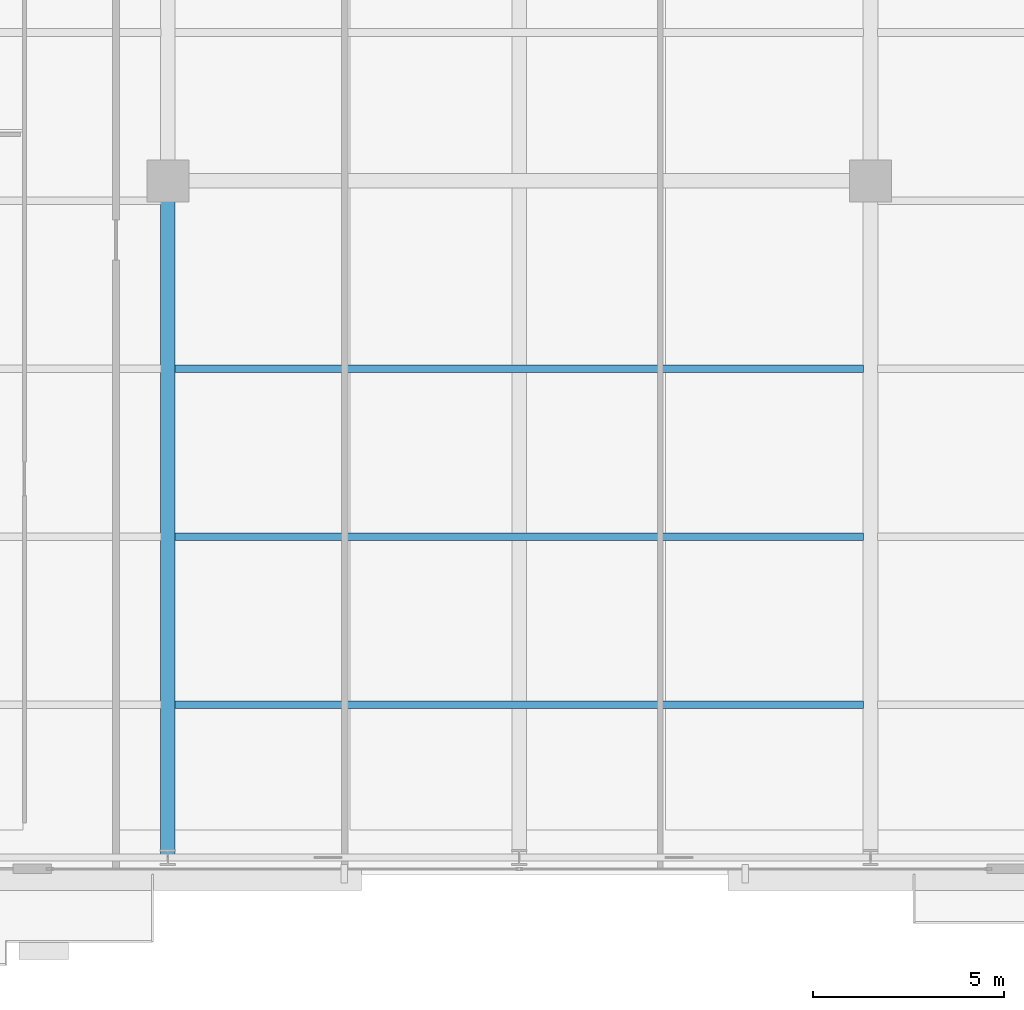
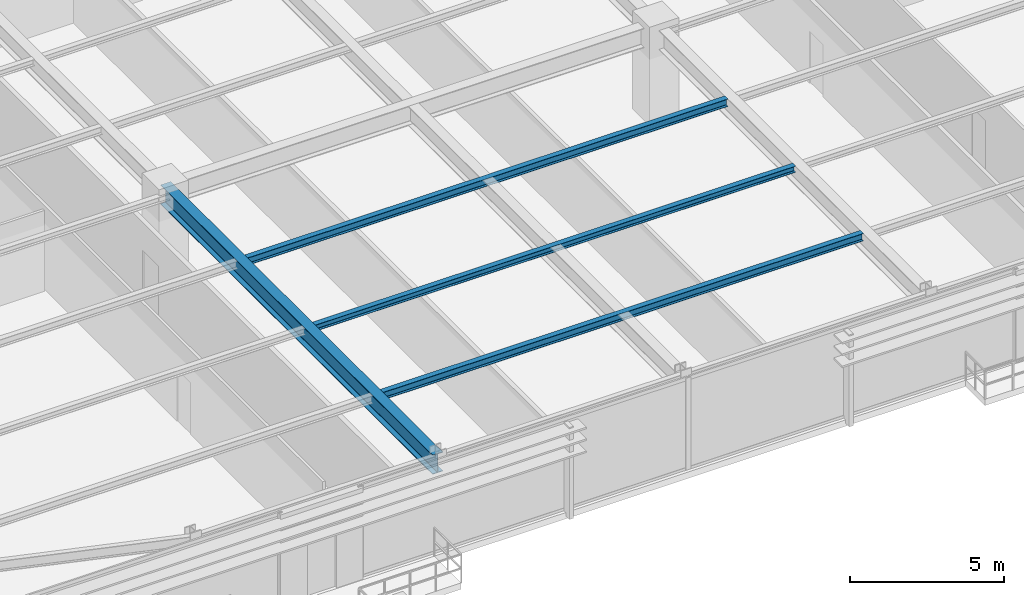
# One storey, part 7 of 31: 4 beams.
"""IFC4 building model written with IfcOpenShell, lengths in metres."""

from ifc_helpers import new_model, si_unit, direction, frame, origin, origin_2d, place, context, subcontext, project, spatial, i_section, extrude, source, transform, mapped, material, material_profile, profile_set, type_object, type_shapes, element, save


model = new_model("IFC4")

# Units and contexts
model_context = context("Model", 3, precision=1e-05, world=origin(), true_north=direction((0.0, 1.0)))
body_context = subcontext(model_context, "Body", "Model", "MODEL_VIEW")
ifc_project = project(units=[si_unit("LENGTHUNIT", "METRE"), si_unit("AREAUNIT", "SQUARE_METRE"), si_unit("VOLUMEUNIT", "CUBIC_METRE"), si_unit("PLANEANGLEUNIT", "RADIAN"), si_unit("MASSUNIT", "GRAM", prefix="KILO")], contexts=[model_context])

# Site, building, storey
site_placement = place(None, origin())
site = spatial("IfcSite", under=ifc_project, at=site_placement, CompositionType="ELEMENT")
building_placement = place(site_placement, origin())
building = spatial("IfcBuilding", under=site, at=building_placement, Name="Varnel Quay Broadcast Tower", CompositionType="ELEMENT")
storey_placement = place(building_placement, frame((0.0, 0.0, 35.39990234375)))
storey = spatial("IfcBuildingStorey", under=building, at=storey_placement, Name="L07", CompositionType="ELEMENT", Elevation=35.39990234375)

# Beams
ifc_material = material(Name="Structural Steel CSA G40.21 350W", Category="steel")
ifc_material_profile_1 = material_profile(ifc_material, i_section(OverallWidth=0.381103515625, OverallDepth=0.77294921875, WebThickness=0.0166015625, FlangeThickness=0.027587890625, FilletRadius=0.01806640625, at=origin_2d()), Name="W760X257")
ifc_profile_set_1 = profile_set([ifc_material_profile_1], Name="Structural Steel CSA G40.21 350W")
beam_type_1 = type_object("IfcBeamType", Name="Girder_W760X257", PredefinedType="BEAM", material=ifc_profile_set_1)
shared_shape_1 = source(origin(), body_context, "Body", "SweptSolid", [
    extrude(i_section(OverallWidth=0.381103515625, OverallDepth=0.77294921875, WebThickness=0.0166015625, FlangeThickness=0.027587890625, FilletRadius=0.01806640625, at=origin_2d()), origin(), (0.0, 0.0, 1.0), 17.68017578125),
])
type_shapes(beam_type_1, [shared_shape_1])
beam_1_placement = place(storey_placement, frame((24.800048828125, 1.669921875, 3.263671875), z_axis=(0.0, 1.0, 0.0), x_axis=(-1.0, 0.0, 0.0)))
element("IfcBeam", 1, at=beam_1_placement, inside=storey, type_object=beam_type_1, Name="L07 Primary Girder TC-S2-IC-01", PredefinedType="BEAM", context=body_context, shape_type="MappedRepresentation", body=[
    mapped(shared_shape_1, transform((0.0, 0.0, 0.0), x_axis=(1.0, 0.0, 0.0), y_axis=(0.0, 1.0, 0.0), z_axis=(0.0, 0.0, 1.0), scale=1.0)),
])
ifc_material_profile_2 = material_profile(ifc_material, i_section(OverallWidth=0.202880859375, OverallDepth=0.302978515625, WebThickness=0.007568359375, FlangeThickness=0.01318359375, FilletRadius=0.011962890625, at=origin_2d()), Name="W310X60")
ifc_profile_set_2 = profile_set([ifc_material_profile_2], Name="Structural Steel CSA G40.21 350W")
beam_type_2 = type_object("IfcBeamType", Name="Beam_W310X60", PredefinedType="JOIST", material=ifc_profile_set_2)
shared_shape_2 = source(origin(), body_context, "Body", "SweptSolid", [
    extrude(i_section(OverallWidth=0.202880859375, OverallDepth=0.302978515625, WebThickness=0.007568359375, FlangeThickness=0.01318359375, FilletRadius=0.011962890625, at=origin_2d()), origin(), (0.0, 0.0, 1.0), 18.02880859375),
])
type_shapes(beam_type_2, [shared_shape_2])
for number, where, z_axis, x_axis, name in (
    (2, (24.985595703125, 5.64990234375, 3.49853515625), (1.0, 0.0, 0.0), (0.0, 1.0, 0.0), "L07 Central Floor Joist 1"),
    (3, (24.985595703125, 14.449951171875, 3.49853515625), (1.0, 0.0, 0.0), (0.0, 1.0, 0.0), "L07 Central Floor Joist 3"),
):
    element("IfcBeam", number, at=place(storey_placement, frame(where, z_axis=z_axis, x_axis=x_axis)), inside=storey, type_object=beam_type_2, Name=name, PredefinedType="JOIST", context=body_context, shape_type="MappedRepresentation", body=[
        mapped(shared_shape_2, transform((0.0, 0.0, 0.0), x_axis=(1.0, 0.0, 0.0), y_axis=(0.0, 1.0, 0.0), z_axis=(0.0, 0.0, 1.0), scale=1.0)),
    ])
ifc_material_profile_3 = material_profile(ifc_material, i_section(OverallWidth=0.201904296875, OverallDepth=0.2470703125, WebThickness=0.00732421875, FlangeThickness=0.010986328125, FilletRadius=0.010986328125, at=origin_2d()), Name="W250X49")
ifc_profile_set_3 = profile_set([ifc_material_profile_3], Name="Structural Steel CSA G40.21 350W")
beam_type_3 = type_object("IfcBeamType", Name="Beam_W250X49", PredefinedType="JOIST", material=ifc_profile_set_3)
shared_shape_3 = source(origin(), body_context, "Body", "SweptSolid", [
    extrude(i_section(OverallWidth=0.201904296875, OverallDepth=0.2470703125, WebThickness=0.00732421875, FlangeThickness=0.010986328125, FilletRadius=0.010986328125, at=origin_2d()), origin(), (0.0, 0.0, 1.0), 18.02880859375),
])
type_shapes(beam_type_3, [shared_shape_3])
beam_2_placement = place(storey_placement, frame((24.985595703125, 10.050048828125, 3.526611328125), z_axis=(1.0, 0.0, 0.0), x_axis=(0.0, 1.0, 0.0)))
element("IfcBeam", 4, at=beam_2_placement, inside=storey, type_object=beam_type_3, Name="L07 Central Floor Joist 2", PredefinedType="JOIST", context=body_context, shape_type="MappedRepresentation", body=[
    mapped(shared_shape_3, transform((0.0, 0.0, 0.0), x_axis=(1.0, 0.0, 0.0), y_axis=(0.0, 1.0, 0.0), z_axis=(0.0, 0.0, 1.0), scale=1.0)),
])

save(model, "model.ifc")
